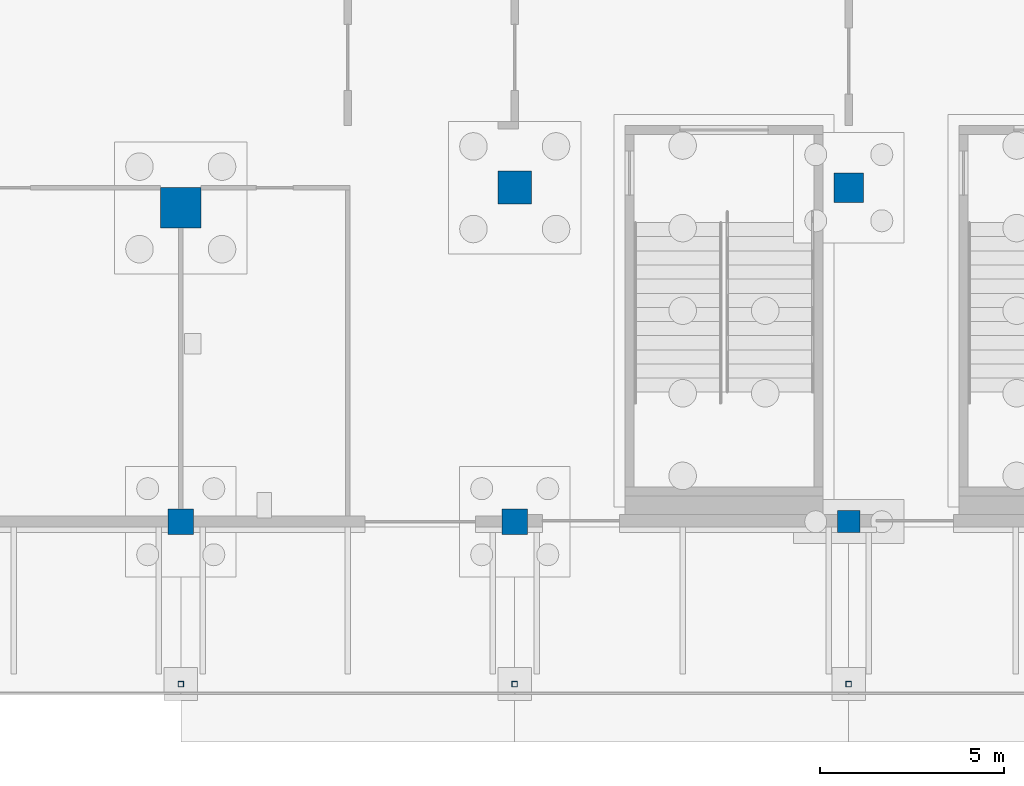
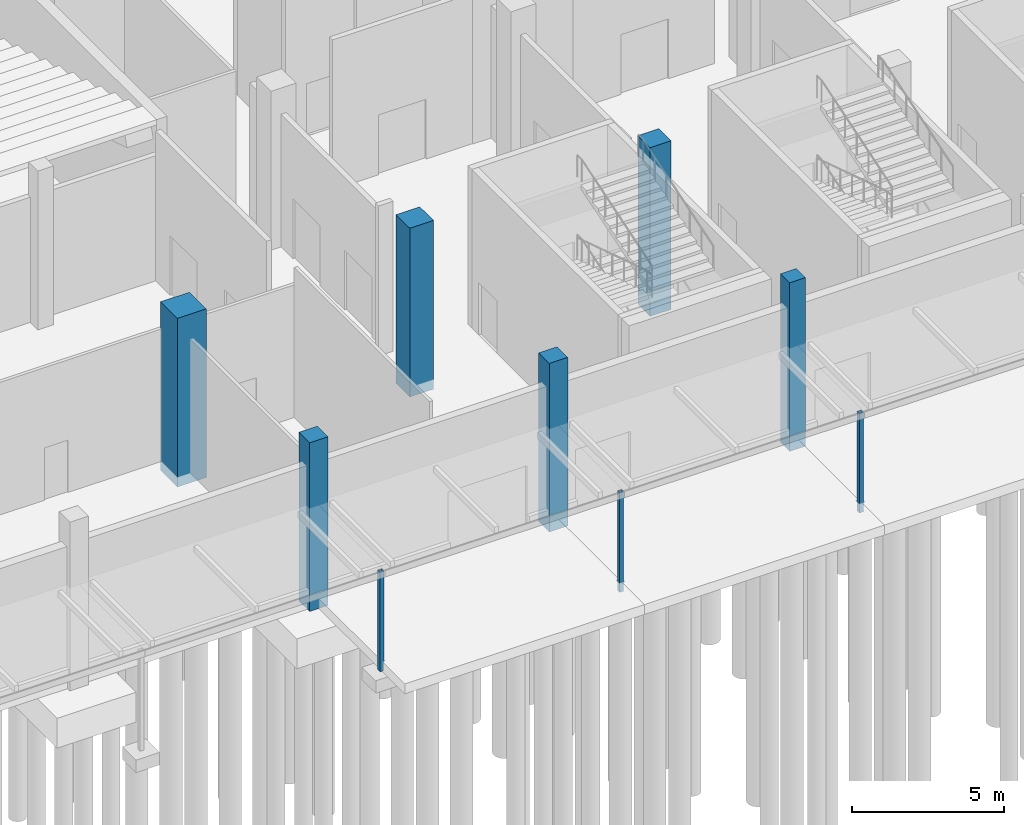
# One storey, part 20 of 129: 9 columns.
"""IFC4 building model written with IfcOpenShell, lengths in metres."""

import ifcopenshell
import ifcopenshell.guid

model = None  # the IFC model being written
_history = None  # IfcOwnerHistory: only IFC2X3 demands one
_inside = {}  # id of a spatial element -> (the spatial element, [elements in it])
_under = {}  # id of a project, library or spatial element -> (it, [spatial elements below it])
_declared = {}  # id of a project -> (the project, [libraries it declares])
_typed = {}  # id of a type object -> (the type object, [elements of that type])
_made_of = {}  # id of a material, layer set ... -> (it, [elements and type objects made of it])


def new_model(schema):
    """Start an empty IFC model of exactly this schema.

    Asked for "IFC4X3", IfcOpenShell would pick the latest addendum, in which some entities
    have other attributes; the version numbers below select the first issue.
    IFC2X3 requires an IfcOwnerHistory on every rooted entity: one is made here for all.
    """
    global model, _history
    if schema == "IFC4X3":
        model = ifcopenshell.file(schema_version=(4, 3, 0, 0))
    else:
        model = ifcopenshell.file(schema=schema)
    _inside.clear()
    _under.clear()
    _declared.clear()
    _typed.clear()
    _made_of.clear()
    _history = None
    if model.schema == "IFC2X3":
        org = make("IfcOrganization", Name="unknown")
        user = make(
            "IfcPersonAndOrganization",
            ThePerson=make("IfcPerson", FamilyName="unknown"),
            TheOrganization=org,
        )
        app = make(
            "IfcApplication",
            ApplicationDeveloper=org,
            Version="unknown",
            ApplicationFullName="unknown",
            ApplicationIdentifier="unknown",
        )
        _history = make(
            "IfcOwnerHistory",
            OwningUser=user,
            OwningApplication=app,
            ChangeAction="ADDED",
            CreationDate=0,
        )
    return model


def make(cls, **values):
    """One entity of the class cls with the attributes given. An attribute that is None is left unset."""
    return model.create_entity(
        cls, **{name: value for name, value in values.items() if value is not None}
    )


def rooted(cls, **values):
    """An entity with a GlobalId (a new one), such as an element, a storey or a relation."""
    return make(cls, GlobalId=ifcopenshell.guid.new(), OwnerHistory=_history, **values)


def si_unit(unit_type, name, prefix=None):
    """IfcSIUnit, for example si_unit("LENGTHUNIT", "METRE", prefix="MILLI")."""
    return make("IfcSIUnit", UnitType=unit_type, Prefix=prefix, Name=name)


def assignment(units):
    """IfcUnitAssignment: the units of a project."""
    return None if units is None else make("IfcUnitAssignment", Units=units)


def point(xyz):
    """IfcCartesianPoint."""
    return None if xyz is None else make("IfcCartesianPoint", Coordinates=xyz)


def direction(xyz):
    """IfcDirection."""
    return None if xyz is None else make("IfcDirection", DirectionRatios=xyz)


def frame(location, z_axis=None, x_axis=None):
    """IfcAxis2Placement3D, a coordinate frame: its origin and axes. An axis left out is left unset."""
    return make(
        "IfcAxis2Placement3D",
        Location=point(location),
        Axis=direction(z_axis),
        RefDirection=direction(x_axis),
    )


def frame_2d(location, x_axis=None):
    """IfcAxis2Placement2D, a coordinate frame in the plane: its origin and x axis."""
    return make(
        "IfcAxis2Placement2D", Location=point(location), RefDirection=direction(x_axis)
    )


def origin():
    """The frame at (0, 0, 0) with its axes left unset."""
    return frame((0.0, 0.0, 0.0))


def origin_2d():
    """The frame at (0, 0) in the plane with its x axis left unset."""
    return frame_2d((0.0, 0.0))


def place(relative_to, where):
    """IfcLocalPlacement: puts the frame where relative to a parent placement (None: the world)."""
    return make(
        "IfcLocalPlacement", PlacementRelTo=relative_to, RelativePlacement=where
    )


def context(
    kind, dimensions, precision=None, world=None, true_north=None, identifier=None
):
    """IfcGeometricRepresentationContext, for example the 3D "Model" context."""
    return make(
        "IfcGeometricRepresentationContext",
        ContextIdentifier=identifier,
        ContextType=kind,
        CoordinateSpaceDimension=dimensions,
        Precision=precision,
        WorldCoordinateSystem=world,
        TrueNorth=true_north,
    )


def subcontext(parent, identifier, kind, view, scale=None):
    """IfcGeometricRepresentationSubContext, for example "Body" below "Model"."""
    return make(
        "IfcGeometricRepresentationSubContext",
        ContextIdentifier=identifier,
        ContextType=kind,
        ParentContext=parent,
        TargetScale=scale,
        TargetView=view,
    )


def project(units=None, contexts=None):
    """IfcProject with its units and contexts."""
    return rooted(
        "IfcProject",
        Name="project",
        RepresentationContexts=contexts,
        UnitsInContext=assignment(units),
    )


def spatial(cls, under=None, at=None, **own):
    """A site, building, storey or space (cls), placed at a placement, below another one or the project."""
    s = rooted(cls, ObjectPlacement=at, **own)
    if under is not None:
        _under.setdefault(under.id(), (under, []))[1].append(s)
    return s


def profile(cls, at=None, kind="AREA", **sizes):
    """A parametric profile (cls). Its sizes go by their IFC names, for example OverallWidth=200.0."""
    return make(cls, ProfileType=kind, Position=at, **sizes)


def rectangle(**sizes):
    """IfcRectangleProfileDef."""
    return profile("IfcRectangleProfileDef", **sizes)


def hollow_rectangle(**sizes):
    """IfcRectangleHollowProfileDef."""
    return profile("IfcRectangleHollowProfileDef", **sizes)


def extrude(swept, where, along, depth):
    """IfcExtrudedAreaSolid: the profile swept, set in the frame where, extruded along a direction by depth."""
    return make(
        "IfcExtrudedAreaSolid",
        SweptArea=swept,
        Position=where,
        ExtrudedDirection=direction(along),
        Depth=depth,
    )


def shape(context_of_items, identifier, shape_type, items):
    """IfcShapeRepresentation: the items that make up one representation, for example the "Body"."""
    return make(
        "IfcShapeRepresentation",
        ContextOfItems=context_of_items,
        RepresentationIdentifier=identifier,
        RepresentationType=shape_type,
        Items=items,
    )


def material(Name=None, Category=None):
    """IfcMaterial."""
    return make("IfcMaterial", Name=Name, Category=Category)


def material_profile(
    of_material, cross_section, Name=None, Category=None, Priority=None
):
    """IfcMaterialProfile: a cross section and its material."""
    return make(
        "IfcMaterialProfile",
        Name=Name,
        Material=of_material,
        Profile=cross_section,
        Priority=Priority,
        Category=Category,
    )


def profile_set(profiles, Name=None, composite=None):
    """IfcMaterialProfileSet."""
    return make(
        "IfcMaterialProfileSet",
        Name=Name,
        MaterialProfiles=profiles,
        CompositeProfile=composite,
    )


def made_of(thing, what):
    """Note that an element or type object is made of a material, layer set ...; save() writes the relation."""
    if what is not None:
        _made_of.setdefault(what.id(), (what, []))[1].append(thing)
    return thing


def type_object(cls, material=None, **own):
    """A type object (cls), such as IfcWallType, which elements share."""
    return made_of(rooted(cls, **own), material)


def element(
    cls,
    number,
    at=None,
    inside=None,
    cuts=None,
    type_object=None,
    material=None,
    context=None,
    identifier="Body",
    shape_type=None,
    held_by="IfcProductDefinitionShape",
    body=None,
    shapes=None,
    **own,
):
    """One element of the class cls, such as IfcWall. Its Tag is "e" and its number.

    at: its placement. inside: the storey or other place that contains it. cuts: it is an
    opening in that element (IfcRelVoidsElement). A single representation is given by context,
    identifier, shape_type and body (its items); several are given by shapes. held_by: the class
    of the entity that holds the representations. save() writes the other relations.
    """
    e = rooted(cls, Tag="e%d" % number, ObjectPlacement=at, **own)
    if body is not None:
        shapes = [shape(context, identifier, shape_type, body)]
    if shapes is not None:
        e.Representation = make(held_by, Representations=shapes)
    if inside is not None:
        _inside.setdefault(inside.id(), (inside, []))[1].append(e)
    if cuts is not None:
        rooted(
            "IfcRelVoidsElement", RelatingBuildingElement=cuts, RelatedOpeningElement=e
        )
    if type_object is not None:
        _typed.setdefault(type_object.id(), (type_object, []))[1].append(e)
    return made_of(e, material)


def aggregate(whole, parts):
    """IfcRelAggregates: a whole, such as a stair, and the parts it consists of."""
    return rooted("IfcRelAggregates", RelatingObject=whole, RelatedObjects=parts)


def save(model, path):
    """Write the relations noted so far, then the file.

    IfcRelAggregates (storeys below a building ...), IfcRelContainedInSpatialStructure (elements
    in a storey), IfcRelDefinesByType, IfcRelAssociatesMaterial and IfcRelDeclares: one each for
    every whole, place, type object, material and project.
    """
    for whole, parts in _under.values():
        aggregate(whole, parts)
    for where, things in _inside.values():
        rooted(
            "IfcRelContainedInSpatialStructure",
            RelatedElements=things,
            RelatingStructure=where,
        )
    for kind, things in _typed.values():
        rooted("IfcRelDefinesByType", RelatedObjects=things, RelatingType=kind)
    for what, things in _made_of.values():
        rooted("IfcRelAssociatesMaterial", RelatedObjects=things, RelatingMaterial=what)
    for by, libraries in _declared.values():
        rooted("IfcRelDeclares", RelatingContext=by, RelatedDefinitions=libraries)
    model.write(path)


model = new_model("IFC4")

# Units and contexts
model_context = context("Model", 3, precision=1e-05, world=origin(), true_north=direction((0.0, 1.0)))
body_context = subcontext(model_context, "Body", "Model", "MODEL_VIEW")
ifc_project = project(units=[si_unit("LENGTHUNIT", "METRE"), si_unit("AREAUNIT", "SQUARE_METRE"), si_unit("VOLUMEUNIT", "CUBIC_METRE"), si_unit("PLANEANGLEUNIT", "RADIAN"), si_unit("MASSUNIT", "GRAM", prefix="KILO")], contexts=[model_context])

# Site, building, storey
site_placement = place(None, origin())
site = spatial("IfcSite", under=ifc_project, at=site_placement, CompositionType="ELEMENT")
building_placement = place(site_placement, origin())
building = spatial("IfcBuilding", under=site, at=building_placement, Name="Shirokan Park Arena", CompositionType="ELEMENT")
storey_placement = place(building_placement, origin())
storey = spatial("IfcBuildingStorey", under=building, at=storey_placement, Name="L00", CompositionType="ELEMENT", Elevation=0.0)

# Columns
ifc_material_1 = material(Name="Concrete C35", Category="concrete")
ifc_material_profile_1 = material_profile(ifc_material_1, rectangle(XDim=1.10009765625, YDim=1.10009765625, at=origin_2d()), Name="1100x1100")
ifc_profile_set_1 = profile_set([ifc_material_profile_1], Name="Concrete C35")
column_type_1 = type_object("IfcColumnType", Name="RC column 1100x1100", PredefinedType="COLUMN", material=ifc_profile_set_1)
column_1_placement = place(storey_placement, frame((100.10009765625, 8.550048828125, -0.39990234375), z_axis=(0.0, 0.0, 1.0), x_axis=(1.0, 0.0, 0.0)))
element("IfcColumn", 1, at=column_1_placement, inside=storey, type_object=column_type_1, Name="Column 12B L00", PredefinedType="COLUMN", context=body_context, shape_type="SweptSolid", body=[
    extrude(rectangle(XDim=1.10009765625, YDim=1.10009765625, at=origin_2d()), origin(), (0.0, 0.0, 1.0), 6.77001953125),
])
ifc_material_profile_2 = material_profile(ifc_material_1, rectangle(XDim=0.60009765625, YDim=0.60009765625, at=origin_2d()), Name="600x600")
ifc_profile_set_2 = profile_set([ifc_material_profile_2], Name="Concrete C35")
column_type_2 = type_object("IfcColumnType", Name="RC column 600x600", PredefinedType="COLUMN", material=ifc_profile_set_2)
column_2_placement = place(storey_placement, frame((118.300048828125, 0.0, -0.39990234375), z_axis=(0.0, 0.0, 1.0), x_axis=(1.0, 0.0, 0.0)))
element("IfcColumn", 2, at=column_2_placement, inside=storey, type_object=column_type_2, Name="Column 14A L00", PredefinedType="COLUMN", context=body_context, shape_type="SweptSolid", body=[
    extrude(rectangle(XDim=0.60009765625, YDim=0.60009765625, at=origin_2d()), origin(), (0.0, 0.0, 1.0), 6.77001953125),
])
ifc_material_profile_3 = material_profile(ifc_material_1, rectangle(XDim=0.699951171875, YDim=0.699951171875, at=origin_2d()), Name="700x700")
ifc_profile_set_3 = profile_set([ifc_material_profile_3], Name="Concrete C35")
column_type_3 = type_object("IfcColumnType", Name="RC column 700x700", PredefinedType="COLUMN", material=ifc_profile_set_3)
for number, where, z_axis, x_axis, name in (
    (3, (100.10009765625, 0.0, -0.39990234375), (0.0, 0.0, 1.0), (1.0, 0.0, 0.0), "Column 12A L00"),
    (4, (109.199951171875, 0.0, -0.39990234375), (0.0, 0.0, 1.0), (1.0, 0.0, 0.0), "Column 13A L00"),
):
    element("IfcColumn", number, at=place(storey_placement, frame(where, z_axis=z_axis, x_axis=x_axis)), inside=storey, type_object=column_type_3, Name=name, PredefinedType="COLUMN", context=body_context, shape_type="SweptSolid", body=[
        extrude(rectangle(XDim=0.699951171875, YDim=0.699951171875, at=origin_2d()), origin(), (0.0, 0.0, 1.0), 6.77001953125),
    ])
ifc_material_profile_4 = material_profile(ifc_material_1, rectangle(XDim=0.800048828125, YDim=0.800048828125, at=origin_2d()), Name="800x800")
ifc_profile_set_4 = profile_set([ifc_material_profile_4], Name="Concrete C35")
column_type_4 = type_object("IfcColumnType", Name="RC column 800x800", PredefinedType="COLUMN", material=ifc_profile_set_4)
column_3_placement = place(storey_placement, frame((118.300048828125, 9.10009765625, -0.39990234375), z_axis=(0.0, 0.0, 1.0), x_axis=(1.0, 0.0, 0.0)))
element("IfcColumn", 5, at=column_3_placement, inside=storey, type_object=column_type_4, Name="Column 14B L00", PredefinedType="COLUMN", context=body_context, shape_type="SweptSolid", body=[
    extrude(rectangle(XDim=0.800048828125, YDim=0.800048828125, at=origin_2d()), origin(), (0.0, 0.0, 1.0), 6.77001953125),
])
ifc_material_profile_5 = material_profile(ifc_material_1, rectangle(XDim=0.89990234375, YDim=0.89990234375, at=origin_2d()), Name="900x900")
ifc_profile_set_5 = profile_set([ifc_material_profile_5], Name="Concrete C35")
column_type_5 = type_object("IfcColumnType", Name="RC column 900x900", PredefinedType="COLUMN", material=ifc_profile_set_5)
column_4_placement = place(storey_placement, frame((109.199951171875, 9.10009765625, -0.39990234375), z_axis=(0.0, 0.0, 1.0), x_axis=(1.0, 0.0, 0.0)))
element("IfcColumn", 6, at=column_4_placement, inside=storey, type_object=column_type_5, Name="Column 13B L00", PredefinedType="COLUMN", context=body_context, shape_type="SweptSolid", body=[
    extrude(rectangle(XDim=0.89990234375, YDim=0.89990234375, at=origin_2d()), origin(), (0.0, 0.0, 1.0), 6.77001953125),
])
ifc_material_2 = material(Name="Steel S355", Category="steel")
ifc_material_profile_6 = material_profile(ifc_material_2, hollow_rectangle(XDim=0.14990234375, YDim=0.14990234375, WallThickness=0.008056640625, at=origin_2d()), Name="RHS 150x150x8")
ifc_profile_set_6 = profile_set([ifc_material_profile_6], Name="Steel S355")
column_type_6 = type_object("IfcColumnType", Name="Steel post RHS 150x150x8", PredefinedType="COLUMN", material=ifc_profile_set_6)
for number, where, z_axis, x_axis, name in (
    (7, (100.10009765625, -4.425048828125, -0.39990234375), (0.0, 0.0, 1.0), (1.0, 0.0, 0.0), "Canopy post south grid 12"),
    (8, (109.199951171875, -4.425048828125, -0.39990234375), (0.0, 0.0, 1.0), (1.0, 0.0, 0.0), "Canopy post south grid 13"),
    (9, (118.300048828125, -4.425048828125, -0.39990234375), (0.0, 0.0, 1.0), (1.0, 0.0, 0.0), "Canopy post south grid 14"),
):
    element("IfcColumn", number, at=place(storey_placement, frame(where, z_axis=z_axis, x_axis=x_axis)), inside=storey, type_object=column_type_6, Name=name, PredefinedType="COLUMN", context=body_context, shape_type="SweptSolid", body=[
        extrude(hollow_rectangle(XDim=0.14990234375, YDim=0.14990234375, WallThickness=0.008056640625, at=origin_2d()), origin(), (0.0, 0.0, 1.0), 4.0),
    ])

save(model, "model.ifc")
